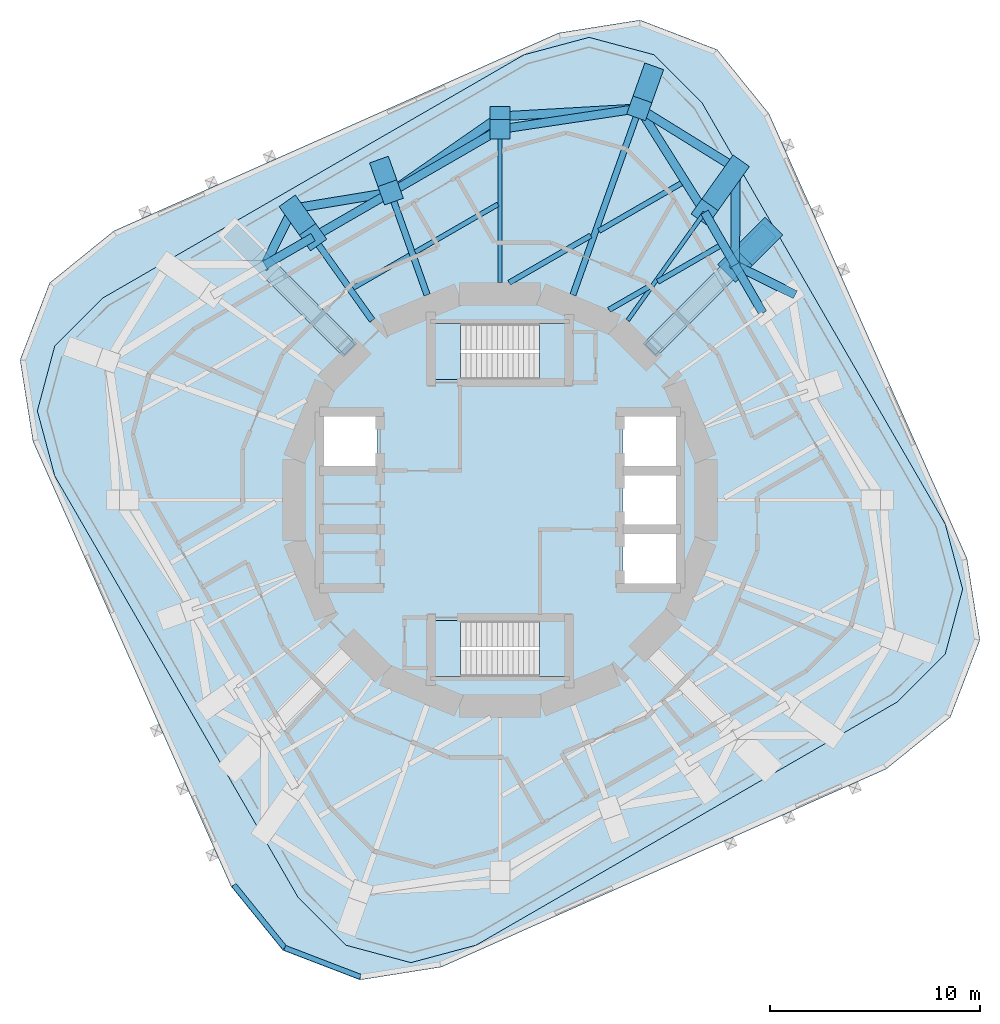
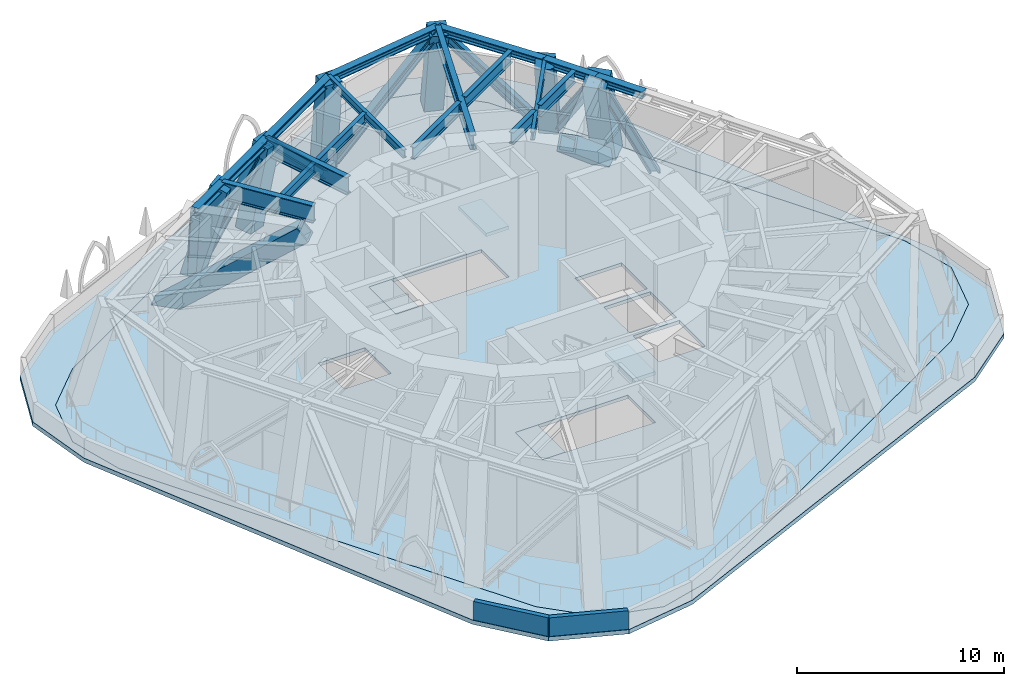
# One storey, part 3 of 10: 22 members, 11 beams, 6 slabs, 2 walls, 2 elements without a shape of their own.
"""IFC4 building model written with IfcOpenShell, lengths in metres."""

from ifc_helpers import new_model, si_unit, direction, frame, frame_2d, origin, origin_2d, place, context, subcontext, project, spatial, polyline, rectangle, hollow_rectangle, i_section, outline, extrude, material, layer, layer_set, material_profile, profile_set, type_object, element, aggregate, save


model = new_model("IFC4")

# Units and contexts
model_context = context("Model", 3, precision=1e-05, world=origin(), true_north=direction((0.0, 1.0)))
body_context = subcontext(model_context, "Body", "Model", "MODEL_VIEW")
ifc_project = project(units=[si_unit("LENGTHUNIT", "METRE"), si_unit("AREAUNIT", "SQUARE_METRE"), si_unit("VOLUMEUNIT", "CUBIC_METRE"), si_unit("PLANEANGLEUNIT", "RADIAN"), si_unit("MASSUNIT", "GRAM", prefix="KILO")], contexts=[model_context])

# Site, building, storey
site_placement = place(None, origin())
site = spatial("IfcSite", under=ifc_project, at=site_placement, CompositionType="ELEMENT")
building_placement = place(site_placement, origin())
building = spatial("IfcBuilding", under=site, at=building_placement, Name="Nakasero Lantern House", CompositionType="ELEMENT")
storey_placement = place(building_placement, frame((0.0, 0.0, 217.10009765625)))
storey = spatial("IfcBuildingStorey", under=building, at=storey_placement, Name="L53", CompositionType="ELEMENT", Elevation=217.10009765625)

# Members
ifc_material_1 = material(Name="Steel S355", Category="steel")
ifc_material_profile_1 = material_profile(ifc_material_1, i_section(OverallWidth=0.406982421875, OverallDepth=0.4189453125, WebThickness=0.030517578125, FlangeThickness=0.04931640625, FilletRadius=0.01513671875, at=origin_2d()), Name="UC 356x406x393")
ifc_profile_set_1 = profile_set([ifc_material_profile_1], Name="Steel S355")
member_type_1 = type_object("IfcMemberType", Name="Belt truss chord UC 356x406x393", PredefinedType="CHORD", material=ifc_profile_set_1)
member_1_placement = place(storey_placement, frame((12.524658203125, 8.906494140625, 5.59033203125), z_axis=(-0.499945861543, 0.866056658381, 0.0), x_axis=(-0.866056658381, -0.499945861543, 0.0)))
element("IfcMember", 1, at=member_1_placement, inside=storey, type_object=member_type_1, Name="Belt truss top chord T5 B6-C05T", PredefinedType="CHORD", context=body_context, shape_type="SweptSolid", body=[
    extrude(i_section(OverallWidth=0.406982421875, OverallDepth=0.4189453125, WebThickness=0.030517578125, FlangeThickness=0.04931640625, FilletRadius=0.01513671875, at=origin_2d()), origin(), (0.0, 0.0, 1.0), 2.648681640625),
])
member_2_placement = place(storey_placement, frame((11.200439453125, 11.200439453125, 5.59033203125), z_axis=(-0.500023687443, 0.866011727401, 0.0), x_axis=(-0.866011727401, -0.500023687443, 0.0)))
element("IfcMember", 2, at=member_2_placement, inside=storey, type_object=member_type_1, Name="Belt truss top chord T5 B6-C06T", PredefinedType="CHORD", context=body_context, shape_type="SweptSolid", body=[
    extrude(i_section(OverallWidth=0.406982421875, OverallDepth=0.4189453125, WebThickness=0.030517578125, FlangeThickness=0.04931640625, FilletRadius=0.01513671875, at=origin_2d()), origin(), (0.0, 0.0, 1.0), 2.899658203125),
])
member_3_placement = place(storey_placement, frame((9.75048828125, 13.711669921875, 5.59033203125), z_axis=(-0.532660471024, 0.846329027393, 0.0), x_axis=(-0.846329027393, -0.532660471024, 0.0)))
element("IfcMember", 3, at=member_3_placement, inside=storey, type_object=member_type_1, Name="Belt truss top chord T5 B6-C07T", PredefinedType="CHORD", context=body_context, shape_type="SweptSolid", body=[
    extrude(i_section(OverallWidth=0.406982421875, OverallDepth=0.4189453125, WebThickness=0.030517578125, FlangeThickness=0.04931640625, FilletRadius=0.01513671875, at=origin_2d()), origin(), (0.0, 0.0, 1.0), 5.848388671875),
])
member_4_placement = place(storey_placement, frame((6.63525390625, 18.661376953125, 5.59033203125), z_axis=(-0.988956095107, -0.148208778253, 0.0), x_axis=(0.148208778253, -0.988956095107, 0.0)))
element("IfcMember", 4, at=member_4_placement, inside=storey, type_object=member_type_1, Name="Belt truss top chord T5 B6-C08T", PredefinedType="CHORD", context=body_context, shape_type="SweptSolid", body=[
    extrude(i_section(OverallWidth=0.406982421875, OverallDepth=0.4189453125, WebThickness=0.030517578125, FlangeThickness=0.04931640625, FilletRadius=0.01513671875, at=origin_2d()), origin(), (0.0, 0.0, 1.0), 6.70947265625),
])
member_5_placement = place(storey_placement, frame((0.0, 17.6669921875, 5.59033203125), z_axis=(-0.866020066889, -0.50000924366, 0.0), x_axis=(0.50000924366, -0.866020066889, 0.0)))
element("IfcMember", 5, at=member_5_placement, inside=storey, type_object=member_type_1, Name="Belt truss top chord T5 B6-C09T", PredefinedType="CHORD", context=body_context, shape_type="SweptSolid", body=[
    extrude(i_section(OverallWidth=0.406982421875, OverallDepth=0.4189453125, WebThickness=0.030517578125, FlangeThickness=0.04931640625, FilletRadius=0.01513671875, at=origin_2d()), origin(), (0.0, 0.0, 1.0), 6.01806640625),
])
member_6_placement = place(storey_placement, frame((-5.211669921875, 14.657958984375, 5.59033203125), z_axis=(-0.866015962423, -0.500016352561, 0.0), x_axis=(0.500016352561, -0.866015962423, 0.0)))
element("IfcMember", 6, at=member_6_placement, inside=storey, type_object=member_type_1, Name="Belt truss top chord T5 B6-C10T", PredefinedType="CHORD", context=body_context, shape_type="SweptSolid", body=[
    extrude(i_section(OverallWidth=0.406982421875, OverallDepth=0.4189453125, WebThickness=0.030517578125, FlangeThickness=0.04931640625, FilletRadius=0.01513671875, at=origin_2d()), origin(), (0.0, 0.0, 1.0), 4.266357421875),
])
member_7_placement = place(storey_placement, frame((-8.906494140625, 12.524658203125, 5.59033203125), z_axis=(-0.866056658381, -0.499945861543, 0.0), x_axis=(0.499945861543, -0.866056658381, 0.0)))
element("IfcMember", 7, at=member_7_placement, inside=storey, type_object=member_type_1, Name="Belt truss top chord T5 B6-C11T", PredefinedType="CHORD", context=body_context, shape_type="SweptSolid", body=[
    extrude(i_section(OverallWidth=0.406982421875, OverallDepth=0.4189453125, WebThickness=0.030517578125, FlangeThickness=0.04931640625, FilletRadius=0.01513671875, at=origin_2d()), origin(), (0.0, 0.0, 1.0), 2.648681640625),
])
ifc_material_2 = material(Name="Steel S355", Category="steel")
ifc_material_profile_2 = material_profile(ifc_material_2, i_section(OverallWidth=0.424072265625, OverallDepth=0.474609375, WebThickness=0.047607421875, FlangeThickness=0.076904296875, FilletRadius=0.01513671875, at=origin_2d()), Name="UC 356x406x634")
ifc_profile_set_2 = profile_set([ifc_material_profile_2], Name="Steel S355")
member_type_2 = type_object("IfcMemberType", Name="Belt truss diagonal UC 356x406x634", PredefinedType="BRACE", material=ifc_profile_set_2)
member_8_placement = place(storey_placement, frame((13.884521484375, 9.87353515625, -0.40966796875), z_axis=(-0.400275145517, 0.197880245214, 0.894775511754), x_axis=(-0.443164687224, -0.896440215518, 0.0)))
element("IfcMember", 8, at=member_8_placement, inside=storey, type_object=member_type_2, Name="Belt truss diagonal T5-05", PredefinedType="BRACE", context=body_context, shape_type="SweptSolid", body=[
    extrude(i_section(OverallWidth=0.424072265625, OverallDepth=0.474609375, WebThickness=0.047607421875, FlangeThickness=0.076904296875, FilletRadius=0.01513671875, at=origin_2d()), origin(), (0.0, 0.0, 1.0), 6.70556640625),
])
member_9_placement = place(storey_placement, frame((11.200439453125, 11.200439453125, 5.59033203125), z_axis=(0.005485834883, 0.609121289695, -0.793058106355), x_axis=(-0.99995944714, 0.009005780145, 0.0)))
element("IfcMember", 9, at=member_9_placement, inside=storey, type_object=member_type_2, Name="Belt truss diagonal T5-06", PredefinedType="BRACE", context=body_context, shape_type="SweptSolid", body=[
    extrude(i_section(OverallWidth=0.424072265625, OverallDepth=0.474609375, WebThickness=0.047607421875, FlangeThickness=0.076904296875, FilletRadius=0.01513671875, at=origin_2d()), origin(), (0.0, 0.0, 1.0), 7.565673828125),
])
member_10_placement = place(storey_placement, frame((11.241943359375, 15.808837890625, -0.40966796875), z_axis=(-0.569819984128, 0.352842052815, 0.742164180929), x_axis=(-0.526458539718, -0.850200803315, 0.0)))
element("IfcMember", 10, at=member_10_placement, inside=storey, type_object=member_type_2, Name="Belt truss diagonal T5-07", PredefinedType="BRACE", context=body_context, shape_type="SweptSolid", body=[
    extrude(i_section(OverallWidth=0.424072265625, OverallDepth=0.474609375, WebThickness=0.047607421875, FlangeThickness=0.076904296875, FilletRadius=0.01513671875, at=origin_2d()), origin(), (0.0, 0.0, 1.0), 8.08447265625),
])
member_11_placement = place(storey_placement, frame((6.63525390625, 18.661376953125, 5.59033203125), z_axis=(-0.741049366116, -0.042535764631, -0.670101892033), x_axis=(0.057305043662, -0.998356715794, 0.0)))
element("IfcMember", 11, at=member_11_placement, inside=storey, type_object=member_type_2, Name="Belt truss diagonal T5-08", PredefinedType="BRACE", context=body_context, shape_type="SweptSolid", body=[
    extrude(i_section(OverallWidth=0.424072265625, OverallDepth=0.474609375, WebThickness=0.047607421875, FlangeThickness=0.076904296875, FilletRadius=0.01513671875, at=origin_2d()), origin(), (0.0, 0.0, 1.0), 8.953857421875),
])
member_12_placement = place(storey_placement, frame((0.0, 18.280517578125, -0.40966796875), z_axis=(-0.59670398411, -0.414760561963, 0.686962904084), x_axis=(0.570751136507, -0.821123096847, 0.0)))
element("IfcMember", 12, at=member_12_placement, inside=storey, type_object=member_type_2, Name="Belt truss diagonal T5-09", PredefinedType="BRACE", context=body_context, shape_type="SweptSolid", body=[
    extrude(i_section(OverallWidth=0.424072265625, OverallDepth=0.474609375, WebThickness=0.047607421875, FlangeThickness=0.076904296875, FilletRadius=0.01513671875, at=origin_2d()), origin(), (0.0, 0.0, 1.0), 8.734130859375),
])
member_13_placement = place(storey_placement, frame((-5.211669921875, 14.657958984375, 5.59033203125), z_axis=(-0.610392635641, -0.101268597524, -0.785598817152), x_axis=(0.163670067736, -0.986515133653, 0.0)))
element("IfcMember", 13, at=member_13_placement, inside=storey, type_object=member_type_2, Name="Belt truss diagonal T5-10", PredefinedType="BRACE", context=body_context, shape_type="SweptSolid", body=[
    extrude(i_section(OverallWidth=0.424072265625, OverallDepth=0.474609375, WebThickness=0.047607421875, FlangeThickness=0.076904296875, FilletRadius=0.01513671875, at=origin_2d()), origin(), (0.0, 0.0, 1.0), 7.637451171875),
])
member_14_placement = place(storey_placement, frame((-9.87353515625, 13.884521484375, -0.40966796875), z_axis=(-0.197880245214, -0.400275145517, 0.894775511754), x_axis=(0.896440215518, -0.443164687224, 0.0)))
element("IfcMember", 14, at=member_14_placement, inside=storey, type_object=member_type_2, Name="Belt truss diagonal T5-11", PredefinedType="BRACE", context=body_context, shape_type="SweptSolid", body=[
    extrude(i_section(OverallWidth=0.424072265625, OverallDepth=0.474609375, WebThickness=0.047607421875, FlangeThickness=0.076904296875, FilletRadius=0.01513671875, at=origin_2d()), origin(), (0.0, 0.0, 1.0), 6.70556640625),
])

# Beams
ifc_material_3 = material(Name="Steel S355", Category="steel")
ifc_material_profile_3 = material_profile(ifc_material_3, i_section(OverallWidth=0.2275390625, OverallDepth=0.6025390625, WebThickness=0.010498046875, FlangeThickness=0.014892578125, FilletRadius=0.0126953125, at=origin_2d()), Name="UB 610x229x101")
ifc_profile_set_3 = profile_set([ifc_material_profile_3], Name="Steel S355")
beam_type_1 = type_object("IfcBeamType", Name="Infill beam UB 610x229x101", PredefinedType="JOIST", material=ifc_profile_set_3)
beam_1_placement = place(storey_placement, frame((-6.999267578125, 10.10400390625, 5.49853515625), z_axis=(0.866022192502, 0.500005562063, 0.0), x_axis=(-0.500005562063, 0.866022192502, 0.0)))
element("IfcBeam", 15, at=beam_1_placement, inside=storey, type_object=beam_type_1, Name="Infill beam L54 10.5", PredefinedType="JOIST", context=body_context, shape_type="SweptSolid", body=[
    extrude(i_section(OverallWidth=0.2275390625, OverallDepth=0.6025390625, WebThickness=0.010498046875, FlangeThickness=0.014892578125, FilletRadius=0.0126953125, at=origin_2d()), origin(), (0.0, 0.0, 1.0), 3.1103515625),
])
beam_2_placement = place(storey_placement, frame((-4.039794921875, 11.812744140625, 5.49853515625), z_axis=(0.866027576455, 0.499996236806, 0.0), x_axis=(-0.499996236806, 0.866027576455, 0.0)))
element("IfcBeam", 16, at=beam_2_placement, inside=storey, type_object=beam_type_1, Name="Infill beam L54 10.6", PredefinedType="JOIST", context=body_context, shape_type="SweptSolid", body=[
    extrude(i_section(OverallWidth=0.2275390625, OverallDepth=0.6025390625, WebThickness=0.010498046875, FlangeThickness=0.014892578125, FilletRadius=0.0126953125, at=origin_2d()), origin(), (0.0, 0.0, 1.0), 4.55419921875),
])
ifc_material_4 = material(Name="Steel S355", Category="steel")
ifc_material_profile_4 = material_profile(ifc_material_4, i_section(OverallWidth=0.253662109375, OverallDepth=0.68359375, WebThickness=0.012451171875, FlangeThickness=0.01904296875, FilletRadius=0.01513671875, at=origin_2d()), Name="UB 686x254x140")
ifc_profile_set_4 = profile_set([ifc_material_profile_4], Name="Steel S355")
beam_type_2 = type_object("IfcBeamType", Name="Infill beam UB 686x254x140", PredefinedType="JOIST", material=ifc_profile_set_4)
beam_3_placement = place(storey_placement, frame((5.19287109375, 9.060302734375, 5.458251953125), z_axis=(0.866040838572, 0.499973265211, 0.0), x_axis=(-0.499973265211, 0.866040838572, 0.0)))
element("IfcBeam", 17, at=beam_3_placement, inside=storey, type_object=beam_type_2, Name="Infill beam L54 08.2", PredefinedType="JOIST", context=body_context, shape_type="SweptSolid", body=[
    extrude(i_section(OverallWidth=0.253662109375, OverallDepth=0.68359375, WebThickness=0.012451171875, FlangeThickness=0.01904296875, FilletRadius=0.01513671875, at=origin_2d()), origin(), (0.0, 0.0, 1.0), 2.21875),
])
beam_4_placement = place(storey_placement, frame((7.5126953125, 10.399658203125, 5.458251953125), z_axis=(0.86601890861, 0.500011249804, 0.0), x_axis=(-0.500011249804, 0.86601890861, 0.0)))
element("IfcBeam", 18, at=beam_4_placement, inside=storey, type_object=beam_type_2, Name="Infill beam L54 08.3", PredefinedType="JOIST", context=body_context, shape_type="SweptSolid", body=[
    extrude(i_section(OverallWidth=0.253662109375, OverallDepth=0.68359375, WebThickness=0.012451171875, FlangeThickness=0.01904296875, FilletRadius=0.01513671875, at=origin_2d()), origin(), (0.0, 0.0, 1.0), 3.390625),
])
beam_5_placement = place(storey_placement, frame((0.4404296875, 10.35791015625, 5.458251953125), z_axis=(0.866020631037, 0.50000826655, 0.0), x_axis=(-0.50000826655, 0.866020631037, 0.0)))
element("IfcBeam", 19, at=beam_5_placement, inside=storey, type_object=beam_type_2, Name="Infill beam L54 09.2", PredefinedType="JOIST", context=body_context, shape_type="SweptSolid", body=[
    extrude(i_section(OverallWidth=0.253662109375, OverallDepth=0.68359375, WebThickness=0.012451171875, FlangeThickness=0.01904296875, FilletRadius=0.01513671875, at=origin_2d()), origin(), (0.0, 0.0, 1.0), 4.48583984375),
])
beam_6_placement = place(storey_placement, frame((4.715576171875, 12.826171875, 5.458251953125), z_axis=(0.866016951853, 0.500014638889, 0.0), x_axis=(-0.500014638889, 0.866016951853, 0.0)))
element("IfcBeam", 20, at=beam_6_placement, inside=storey, type_object=beam_type_2, Name="Infill beam L54 09.3", PredefinedType="JOIST", context=body_context, shape_type="SweptSolid", body=[
    extrude(i_section(OverallWidth=0.253662109375, OverallDepth=0.68359375, WebThickness=0.012451171875, FlangeThickness=0.01904296875, FilletRadius=0.01513671875, at=origin_2d()), origin(), (0.0, 0.0, 1.0), 4.532470703125),
])

# Members
ifc_material_5 = material(Name="Steel S355", Category="steel")
ifc_material_profile_5 = material_profile(ifc_material_5, hollow_rectangle(XDim=0.89990234375, YDim=0.89990234375, WallThickness=0.10009765625, at=origin_2d()), Name="BOX 900x900x100")
ifc_profile_set_5 = profile_set([ifc_material_profile_5], Name="Steel S355")
member_type_3 = type_object("IfcMemberType", Name="Outrigger diagonal BOX 900x900x100", PredefinedType="BRACE", material=ifc_profile_set_5)
for number, where, z_axis, x_axis, name in (
    (21, (7.32421875, 7.32421875, 5.449951171875), (0.5530241733, 0.5530241733, -0.623160113848), (-0.707106781187, 0.707106781187, 0.0), "Outrigger diagonal L53 06 falling"),
    (22, (-7.32421875, 7.32421875, 5.449951171875), (-0.5530241733, 0.5530241733, -0.623160113848), (-0.707106781187, -0.707106781187, 0.0), "Outrigger diagonal L53 12 falling"),
):
    element("IfcMember", number, at=place(storey_placement, frame(where, z_axis=z_axis, x_axis=x_axis)), inside=storey, type_object=member_type_3, Name=name, PredefinedType="BRACE", context=body_context, shape_type="SweptSolid", body=[
        extrude(hollow_rectangle(XDim=0.89990234375, YDim=0.89990234375, WallThickness=0.10009765625, at=origin_2d()), origin(), (0.0, 0.0, 1.0), 9.62841796875),
    ])

# Beams
ifc_material_6 = material(Name="Steel S355", Category="steel")
ifc_material_profile_6 = material_profile(ifc_material_6, i_section(OverallWidth=0.302001953125, OverallDepth=1.008056640625, WebThickness=0.02099609375, FlangeThickness=0.0400390625, FilletRadius=0.030029296875, at=origin_2d()), Name="UB 1016x305x349")
ifc_profile_set_6 = profile_set([ifc_material_profile_6], Name="Steel S355")
beam_type_3 = type_object("IfcBeamType", Name="Primary beam UB 1016x305x349, span to 6 m", PredefinedType="BEAM", material=ifc_profile_set_6)
beam_7_placement = place(storey_placement, frame((-5.211669921875, 14.657958984375, 5.2958984375), z_axis=(0.334979016533, -0.942225587894, 0.0), x_axis=(0.942225587894, 0.334979016533, 0.0)))
element("IfcBeam", 23, at=beam_7_placement, inside=storey, type_object=beam_type_3, Name="Primary beam L54 B6-C10T", PredefinedType="BEAM", context=body_context, shape_type="SweptSolid", body=[
    extrude(i_section(OverallWidth=0.302001953125, OverallDepth=1.008056640625, WebThickness=0.02099609375, FlangeThickness=0.0400390625, FilletRadius=0.030029296875, at=origin_2d()), origin(), (0.0, 0.0, 1.0), 5.185546875),
])
ifc_material_7 = material(Name="Steel S355", Category="steel")
ifc_material_profile_7 = material_profile(ifc_material_7, i_section(OverallWidth=0.302978515625, OverallDepth=1.015869140625, WebThickness=0.0244140625, FlangeThickness=0.0439453125, FilletRadius=0.030029296875, at=origin_2d()), Name="UB 1016x305x393")
ifc_profile_set_7 = profile_set([ifc_material_profile_7], Name="Steel S355")
beam_type_4 = type_object("IfcBeamType", Name="Primary beam UB 1016x305x393, span to 6 m", PredefinedType="BEAM", material=ifc_profile_set_7)
beam_8_placement = place(storey_placement, frame((-8.906494140625, 12.524658203125, 5.2919921875), z_axis=(0.579513415446, -0.814962699342, 0.0), x_axis=(0.814962699342, 0.579513415446, 0.0)))
element("IfcBeam", 24, at=beam_8_placement, inside=storey, type_object=beam_type_4, Name="Primary beam L54 B6-C11T", PredefinedType="BEAM", context=body_context, shape_type="SweptSolid", body=[
    extrude(i_section(OverallWidth=0.302978515625, OverallDepth=1.015869140625, WebThickness=0.0244140625, FlangeThickness=0.0439453125, FilletRadius=0.030029296875, at=origin_2d()), origin(), (0.0, 0.0, 1.0), 4.8642578125),
])
ifc_material_8 = material(Name="Steel S355", Category="steel")
ifc_material_profile_8 = material_profile(ifc_material_8, i_section(OverallWidth=0.19140625, OverallDepth=0.4599609375, WebThickness=0.010009765625, FlangeThickness=0.01611328125, FilletRadius=0.01025390625, at=origin_2d()), Name="UB 457x191x82")
ifc_profile_set_8 = profile_set([ifc_material_profile_8], Name="Steel S355")
beam_type_5 = type_object("IfcBeamType", Name="Primary beam UB 457x191x82, span 6 to 9 m", PredefinedType="BEAM", material=ifc_profile_set_8)
beam_9_placement = place(storey_placement, frame((9.75048828125, 13.711669921875, 5.56982421875), z_axis=(-0.579504973637, -0.814968702178, 0.0), x_axis=(0.814968702178, -0.579504973637, 0.0)))
element("IfcBeam", 25, at=beam_9_placement, inside=storey, type_object=beam_type_5, Name="Primary beam L54 B6-C07T", PredefinedType="BEAM", context=body_context, shape_type="SweptSolid", body=[
    extrude(i_section(OverallWidth=0.19140625, OverallDepth=0.4599609375, WebThickness=0.010009765625, FlangeThickness=0.01611328125, FilletRadius=0.01025390625, at=origin_2d()), origin(), (0.0, 0.0, 1.0), 6.320556640625),
])
beam_10_placement = place(storey_placement, frame((0.0, 17.6669921875, 5.56982421875), z_axis=(0.0, -1.0, 0.0), x_axis=(1.0, 0.0, 0.0)))
element("IfcBeam", 26, at=beam_10_placement, inside=storey, type_object=beam_type_5, Name="Primary beam L54 B6-C09T", PredefinedType="BEAM", context=body_context, shape_type="SweptSolid", body=[
    extrude(i_section(OverallWidth=0.19140625, OverallDepth=0.4599609375, WebThickness=0.010009765625, FlangeThickness=0.01611328125, FilletRadius=0.01025390625, at=origin_2d()), origin(), (0.0, 0.0, 1.0), 7.30908203125),
])
ifc_material_9 = material(Name="Steel S355", Category="steel")
ifc_material_profile_9 = material_profile(ifc_material_9, i_section(OverallWidth=0.29248046875, OverallDepth=0.8408203125, WebThickness=0.0146484375, FlangeThickness=0.02685546875, FilletRadius=0.017822265625, at=origin_2d()), Name="UB 838x292x194")
ifc_profile_set_9 = profile_set([ifc_material_profile_9], Name="Steel S355")
beam_type_6 = type_object("IfcBeamType", Name="Primary beam UB 838x292x194, span 9 to 12 m", PredefinedType="BEAM", material=ifc_profile_set_9)
beam_11_placement = place(storey_placement, frame((6.63525390625, 18.661376953125, 5.379638671875), z_axis=(-0.335006604588, -0.942215779364, 0.0), x_axis=(0.942215779364, -0.335006604588, 0.0)))
element("IfcBeam", 27, at=beam_11_placement, inside=storey, type_object=beam_type_6, Name="Primary beam L54 B6-C08T", PredefinedType="BEAM", context=body_context, shape_type="SweptSolid", body=[
    extrude(i_section(OverallWidth=0.29248046875, OverallDepth=0.8408203125, WebThickness=0.0146484375, FlangeThickness=0.02685546875, FilletRadius=0.017822265625, at=origin_2d()), origin(), (0.0, 0.0, 1.0), 9.4345703125),
])

# Members
ifc_material_10 = material(Name="Concrete C45/55", Category="concrete")
ifc_material_profile_10 = material_profile(ifc_material_10, rectangle(XDim=1.199951171875, YDim=1.199951171875, at=origin_2d()), Name="RC 1200x1200")
ifc_profile_set_10 = profile_set([ifc_material_profile_10], Name="Concrete C45/55")
member_type_4 = type_object("IfcMemberType", Name="Raking column RC 1200x1200 C45/55", PredefinedType="STRUT", material=ifc_profile_set_10)
member_15_placement = place(storey_placement, frame((12.64892578125, 12.64892578125, -0.40966796875), z_axis=(-0.228466098088, -0.228466098088, 0.946364878918), x_axis=(0.707106781187, -0.707106781187, 0.0)))
element("IfcMember", 28, at=member_15_placement, inside=storey, type_object=member_type_4, Name="Raking column B6-C06T L53", PredefinedType="STRUT", context=body_context, shape_type="SweptSolid", body=[
    extrude(rectangle(XDim=1.199951171875, YDim=1.199951171875, at=origin_2d()), origin(), (0.0, 0.0, 1.0), 6.340087890625),
])
ifc_material_11 = material(Name="Concrete C45/55", Category="concrete")
ifc_material_profile_11 = material_profile(ifc_material_11, rectangle(XDim=0.949951171875, YDim=0.949951171875, at=origin_2d()), Name="RC 950x950")
ifc_profile_set_11 = profile_set([ifc_material_profile_11], Name="Concrete C45/55")
member_type_5 = type_object("IfcMemberType", Name="Raking column RC 950x950 C45/55", PredefinedType="STRUT", material=ifc_profile_set_11)
member_16_placement = place(storey_placement, frame((11.241943359375, 15.808837890625, -0.40966796875), z_axis=(-0.22844962729, -0.321228073077, 0.919033891028), x_axis=(0.814930431809, -0.579558790212, 0.0)))
element("IfcMember", 29, at=member_16_placement, inside=storey, type_object=member_type_5, Name="Raking column B6-C07T L53", PredefinedType="STRUT", context=body_context, shape_type="SweptSolid", body=[
    extrude(rectangle(XDim=0.949951171875, YDim=0.949951171875, at=origin_2d()), origin(), (0.0, 0.0, 1.0), 6.528564453125),
])
member_17_placement = place(storey_placement, frame((7.19482421875, 20.2353515625, -0.40966796875), z_axis=(-0.089844582011, -0.252717286311, 0.963359706591), x_axis=(0.94222699159, -0.334975068206, 0.0)))
element("IfcMember", 30, at=member_17_placement, inside=storey, type_object=member_type_5, Name="Raking column B6-C08T L53", PredefinedType="STRUT", context=body_context, shape_type="SweptSolid", body=[
    extrude(rectangle(XDim=0.949951171875, YDim=0.949951171875, at=origin_2d()), origin(), (0.0, 0.0, 1.0), 6.228271484375),
])
member_18_placement = place(storey_placement, frame((0.0, 18.280517578125, -0.40966796875), z_axis=(0.0, -0.101723806295, 0.994812679469), x_axis=(1.0, 0.0, 0.0)))
element("IfcMember", 31, at=member_18_placement, inside=storey, type_object=member_type_5, Name="Raking column B6-C09T L53", PredefinedType="STRUT", context=body_context, shape_type="SweptSolid", body=[
    extrude(rectangle(XDim=0.949951171875, YDim=0.949951171875, at=origin_2d()), origin(), (0.0, 0.0, 1.0), 6.03125),
])
member_19_placement = place(storey_placement, frame((-5.611328125, 15.781982421875, -0.40966796875), z_axis=(0.065330883308, -0.183740614998, 0.980801336707), x_axis=(0.942213254753, 0.335013705046, 0.0)))
element("IfcMember", 32, at=member_19_placement, inside=storey, type_object=member_type_5, Name="Raking column B6-C10T L53", PredefinedType="STRUT", context=body_context, shape_type="SweptSolid", body=[
    extrude(rectangle(XDim=0.949951171875, YDim=0.949951171875, at=origin_2d()), origin(), (0.0, 0.0, 1.0), 6.117431640625),
])
member_20_placement = place(storey_placement, frame((-9.87353515625, 13.884521484375, -0.40966796875), z_axis=(0.155280305059, -0.218356803631, 0.963435692285), x_axis=(0.814947646692, 0.579534583222, 0.0)))
element("IfcMember", 33, at=member_20_placement, inside=storey, type_object=member_type_5, Name="Raking column B6-C11T L53", PredefinedType="STRUT", context=body_context, shape_type="SweptSolid", body=[
    extrude(rectangle(XDim=0.949951171875, YDim=0.949951171875, at=origin_2d()), origin(), (0.0, 0.0, 1.0), 6.227783203125),
])

# Slabs
ifc_material_12 = material(Name="Concrete C35/45", Category="concrete")
ifc_layer_1 = layer(ifc_material_12, 0.199951171875)
ifc_layer_set_1 = layer_set([ifc_layer_1], Name="Composite floor slab 200")
slab_type_1 = type_object("IfcSlabType", Name="Composite floor slab 200", PredefinedType="FLOOR", material=ifc_layer_set_1)
slab_1_placement = place(storey_placement, frame((0.0, 0.0, -0.2001953125)))
element("IfcSlab", 34, at=slab_1_placement, inside=storey, type_object=slab_type_1, Name="Floor slab L53", PredefinedType="FLOOR", context=body_context, shape_type="SweptSolid", body=[
    extrude(outline(polyline([(9.615234375, 18.94580078125), (7.345947265625, 21.21533203125), (4.245849609375, 22.0458984375), (1.14599609375, 21.21533203125), (-18.94580078125, 9.615234375), (-21.21533203125, 7.345947265625), (-22.0458984375, 4.245849609375), (-21.21533203125, 1.14599609375), (-9.615234375, -18.94580078125), (-7.345947265625, -21.21533203125), (-4.245849609375, -22.0458984375), (-1.14599609375, -21.21533203125), (18.94580078125, -9.615234375), (21.21533203125, -7.345947265625), (22.0458984375, -4.245849609375), (21.21533203125, -1.14599609375), (9.615234375, 18.94580078125)]), holes=[polyline([(-8.449951171875, 1.550048828125), (-5.85009765625, 1.550048828125), (-5.85009765625, 4.050048828125), (-8.449951171875, 4.050048828125), (-8.449951171875, 1.550048828125)]), polyline([(5.85009765625, -4.050048828125), (8.449951171875, -4.050048828125), (8.449951171875, -1.550048828125), (5.85009765625, -1.550048828125), (5.85009765625, -4.050048828125)]), polyline([(5.85009765625, -1.25), (8.449951171875, -1.25), (8.449951171875, 1.25), (5.85009765625, 1.25), (5.85009765625, -1.25)]), polyline([(5.85009765625, 1.550048828125), (8.449951171875, 1.550048828125), (8.449951171875, 4.050048828125), (5.85009765625, 4.050048828125), (5.85009765625, 1.550048828125)]), polyline([(-3.14990234375, 5.75), (3.14990234375, 5.75), (3.14990234375, 8.39990234375), (-3.14990234375, 8.39990234375), (-3.14990234375, 5.75)]), polyline([(-3.14990234375, -8.39990234375), (3.14990234375, -8.39990234375), (3.14990234375, -5.75), (-3.14990234375, -5.75), (-3.14990234375, -8.39990234375)])]), origin(), (0.0, 0.0, 1.0), 0.2001953125),
])
ifc_material_13 = material(Name="Concrete C35/45", Category="concrete")
ifc_layer_2 = layer(ifc_material_13, 0.25)
ifc_layer_set_2 = layer_set([ifc_layer_2], Name="Setback roof 250")
slab_type_2 = type_object("IfcSlabType", Name="Setback roof 250", PredefinedType="ROOF", material=ifc_layer_set_2)
slab_2_placement = place(storey_placement, frame((0.0, 0.0, -0.25)))
element("IfcSlab", 35, at=slab_2_placement, inside=storey, type_object=slab_type_2, Name="Setback roof L53", PredefinedType="ROOF", context=body_context, shape_type="SweptSolid", body=[
    extrude(outline(polyline([(12.822021484375, 18.406494140625), (10.34619140625, 21.4638671875), (6.67333984375, 22.87353515625), (2.787841796875, 22.25830078125), (-18.406494140625, 12.822021484375), (-21.4638671875, 10.34619140625), (-22.87353515625, 6.67333984375), (-22.25830078125, 2.787841796875), (-12.822021484375, -18.406494140625), (-10.34619140625, -21.4638671875), (-6.67333984375, -22.87353515625), (-2.787841796875, -22.25830078125), (18.406494140625, -12.822021484375), (21.4638671875, -10.34619140625), (22.87353515625, -6.67333984375), (22.25830078125, -2.787841796875), (12.822021484375, 18.406494140625)]), holes=[polyline([(9.615234375, 18.94580078125), (7.345947265625, 21.21533203125), (4.245849609375, 22.0458984375), (1.14599609375, 21.21533203125), (-18.94580078125, 9.615234375), (-21.21533203125, 7.345947265625), (-22.0458984375, 4.245849609375), (-21.21533203125, 1.14599609375), (-9.615234375, -18.94580078125), (-7.345947265625, -21.21533203125), (-4.245849609375, -22.0458984375), (-1.14599609375, -21.21533203125), (18.94580078125, -9.615234375), (21.21533203125, -7.345947265625), (22.0458984375, -4.245849609375), (21.21533203125, -1.14599609375), (9.615234375, 18.94580078125)])]), origin(), (0.0, 0.0, 1.0), 0.25),
])

# Stair, slabs
ifc_material_14 = material(Name="Concrete C40/50", Category="concrete")
stair_type_1 = type_object("IfcStairType", Name="Escape stair ST1 32 risers", PredefinedType="HALF_TURN_STAIR", material=ifc_material_14)
stair_1_placement = place(storey_placement, origin())
stair_1 = element("IfcStair", 36, at=stair_1_placement, inside=storey, type_object=stair_type_1, Name="Escape stair ST1 L53", PredefinedType="HALF_TURN_STAIR")
ifc_material_15 = material(Name="Concrete C40/50", Category="concrete")
ifc_layer_3 = layer(ifc_material_15, 0.199951171875)
ifc_layer_set_3 = layer_set([ifc_layer_3], Name="Stair landing 200")
slab_type_3 = type_object("IfcSlabType", Name="Stair landing 200", PredefinedType="LANDING", material=ifc_layer_set_3)
slab_3_placement = place(storey_placement, frame((0.0, 0.0, -0.2001953125)))
slab_3 = element("IfcSlab", 37, at=slab_3_placement, type_object=slab_type_3, Name="ST1 landing 1", PredefinedType="LANDING", context=body_context, shape_type="SweptSolid", body=[
    extrude(outline(polyline([(-3.14990234375, 5.75), (-1.875, 5.75), (-1.875, 8.39990234375), (-3.14990234375, 8.39990234375), (-3.14990234375, 5.75)])), origin(), (0.0, 0.0, 1.0), 0.2001953125),
])
slab_4_placement = place(storey_placement, frame((0.0, 0.0, 2.7998046875)))
slab_4 = element("IfcSlab", 38, at=slab_4_placement, type_object=slab_type_3, Name="ST1 landing 2", PredefinedType="LANDING", context=body_context, shape_type="SweptSolid", body=[
    extrude(outline(polyline([(1.875, 5.75), (3.14990234375, 5.75), (3.14990234375, 8.39990234375), (1.875, 8.39990234375), (1.875, 5.75)])), origin(), (0.0, 0.0, 1.0), 0.2001953125),
])
aggregate(stair_1, [slab_3, slab_4])

ifc_material_16 = material(Name="Concrete C40/50", Category="concrete")
stair_type_2 = type_object("IfcStairType", Name="Escape stair ST2 32 risers", PredefinedType="HALF_TURN_STAIR", material=ifc_material_16)
stair_2_placement = place(storey_placement, origin())
stair_2 = element("IfcStair", 39, at=stair_2_placement, inside=storey, type_object=stair_type_2, Name="Escape stair ST2 L53", PredefinedType="HALF_TURN_STAIR")
slab_5_placement = place(storey_placement, frame((0.0, 0.0, -0.2001953125)))
slab_5 = element("IfcSlab", 40, at=slab_5_placement, type_object=slab_type_3, Name="ST2 landing 1", PredefinedType="LANDING", context=body_context, shape_type="SweptSolid", body=[
    extrude(outline(polyline([(-3.14990234375, -8.39990234375), (-1.875, -8.39990234375), (-1.875, -5.75), (-3.14990234375, -5.75), (-3.14990234375, -8.39990234375)])), origin(), (0.0, 0.0, 1.0), 0.2001953125),
])
slab_6_placement = place(storey_placement, frame((0.0, 0.0, 2.7998046875)))
slab_6 = element("IfcSlab", 41, at=slab_6_placement, type_object=slab_type_3, Name="ST2 landing 2", PredefinedType="LANDING", context=body_context, shape_type="SweptSolid", body=[
    extrude(outline(polyline([(1.875, -8.39990234375), (3.14990234375, -8.39990234375), (3.14990234375, -5.75), (1.875, -5.75), (1.875, -8.39990234375)])), origin(), (0.0, 0.0, 1.0), 0.2001953125),
])
aggregate(stair_2, [slab_5, slab_6])

# Walls
ifc_material_17 = material(Name="Concrete C35/45", Category="concrete")
ifc_layer_4 = layer(ifc_material_17, 0.25)
ifc_layer_set_4 = layer_set([ifc_layer_4], Name="Parapet 250")
wall_type = type_object("IfcWallType", Name="Parapet 250", PredefinedType="SOLIDWALL", material=ifc_layer_set_4)
for number, where, z_axis, x_axis, name in (
    (42, (-12.684814453125, -18.345458984375, 0.0), (0.0, 0.0, 1.0), (0.629285642335, -0.777174099125, 0.0), "Parapet L53 PP2C1"),
    (43, (-10.258056640625, -21.342529296875, 0.0), (0.0, 0.0, 1.0), (0.933598278948, -0.358321438858, 0.0), "Parapet L53 PP2C2"),
):
    element("IfcWall", number, at=place(storey_placement, frame(where, z_axis=z_axis, x_axis=x_axis)), inside=storey, type_object=wall_type, Name=name, PredefinedType="SOLIDWALL", context=body_context, shape_type="SweptSolid", body=[
        extrude(rectangle(XDim=3.8564453125, YDim=0.25, at=frame_2d((1.92822265625, 0.0))), origin(), (0.0, 0.0, 1.0), 1.099853515625),
    ])

save(model, "model.ifc")
